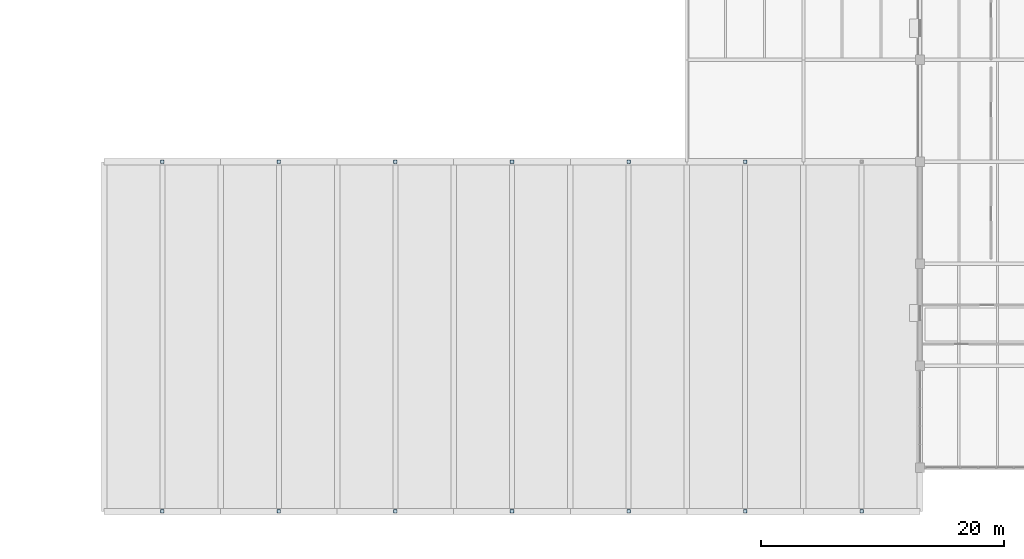
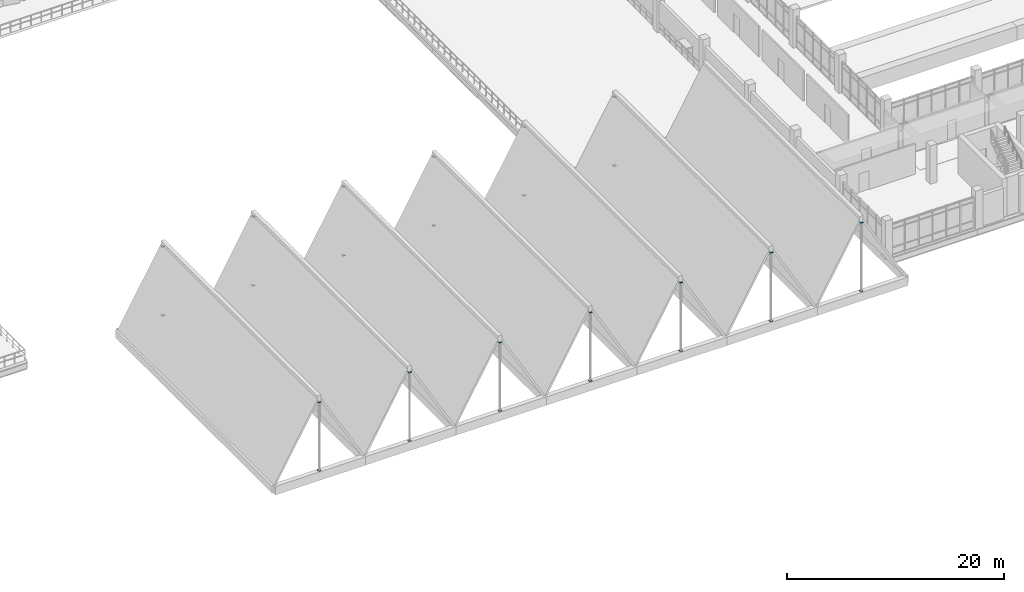
# One storey, part 48 of 86: 26 plates.
"""IFC4 building model written with IfcOpenShell, lengths in metres."""

from ifc_helpers import new_model, si_unit, direction, frame, origin, origin_2d, place, context, subcontext, project, spatial, rectangle, extrude, material, layer, layer_set, type_object, element, save


model = new_model("IFC4")

# Units and contexts
model_context = context("Model", 3, precision=1e-05, world=origin(), true_north=direction((0.0, 1.0)))
body_context = subcontext(model_context, "Body", "Model", "MODEL_VIEW")
ifc_project = project(units=[si_unit("LENGTHUNIT", "METRE"), si_unit("AREAUNIT", "SQUARE_METRE"), si_unit("VOLUMEUNIT", "CUBIC_METRE"), si_unit("PLANEANGLEUNIT", "RADIAN"), si_unit("MASSUNIT", "GRAM", prefix="KILO")], contexts=[model_context])

# Site, building, storey
site_placement = place(None, origin())
site = spatial("IfcSite", under=ifc_project, at=site_placement, CompositionType="ELEMENT")
building_placement = place(site_placement, origin())
building = spatial("IfcBuilding", under=site, at=building_placement, Name="Oolite Switchyard Hospital", CompositionType="ELEMENT")
storey_placement = place(building_placement, frame((0.0, 0.0, 13.5)))
storey = spatial("IfcBuildingStorey", under=building, at=storey_placement, Name="L03", CompositionType="ELEMENT", Elevation=13.5)

# Plates
ifc_material = material(Name="Steel ASTM A572 Grade 50", Category="steel")
ifc_layer = layer(ifc_material, 0.02099609375)
ifc_layer_set = layer_set([ifc_layer], Name="PLT-CAP-290")
plate_type = type_object("IfcPlateType", Name="PLT-CAP-290", PredefinedType="SHEET", material=ifc_layer_set)
for number, where, z_axis, x_axis, name in (
    (1, (72.0, 4.800048828125, -0.021484375), (0.0, 0.0, 1.0), (1.0, 0.0, 0.0), "L03 King-Post Base Plate S1"),
    (2, (72.0, 4.800048828125, 7.700439453125), (0.0, 0.0, 1.0), (1.0, 0.0, 0.0), "L03 King-Post Cap Plate S1"),
    (3, (72.0, 33.60009765625, -0.021484375), (0.0, 0.0, 1.0), (1.0, 0.0, 0.0), "L03 King-Post Base Plate N1"),
    (4, (72.0, 33.60009765625, 7.700439453125), (0.0, 0.0, 1.0), (1.0, 0.0, 0.0), "L03 King-Post Cap Plate N1"),
    (5, (81.60009765625, 4.800048828125, -0.021484375), (0.0, 0.0, 1.0), (1.0, 0.0, 0.0), "L03 King-Post Base Plate S2"),
    (6, (81.60009765625, 4.800048828125, 7.700439453125), (0.0, 0.0, 1.0), (1.0, 0.0, 0.0), "L03 King-Post Cap Plate S2"),
    (7, (81.60009765625, 33.60009765625, -0.021484375), (0.0, 0.0, 1.0), (1.0, 0.0, 0.0), "L03 King-Post Base Plate N2"),
    (8, (81.60009765625, 33.60009765625, 7.700439453125), (0.0, 0.0, 1.0), (1.0, 0.0, 0.0), "L03 King-Post Cap Plate N2"),
    (9, (91.199951171875, 4.800048828125, -0.021484375), (0.0, 0.0, 1.0), (1.0, 0.0, 0.0), "L03 King-Post Base Plate S3"),
    (10, (91.199951171875, 4.800048828125, 7.700439453125), (0.0, 0.0, 1.0), (1.0, 0.0, 0.0), "L03 King-Post Cap Plate S3"),
    (11, (91.199951171875, 33.60009765625, -0.021484375), (0.0, 0.0, 1.0), (1.0, 0.0, 0.0), "L03 King-Post Base Plate N3"),
    (12, (91.199951171875, 33.60009765625, 7.700439453125), (0.0, 0.0, 1.0), (1.0, 0.0, 0.0), "L03 King-Post Cap Plate N3"),
    (13, (100.800048828125, 4.800048828125, -0.021484375), (0.0, 0.0, 1.0), (1.0, 0.0, 0.0), "L03 King-Post Base Plate S4"),
    (14, (100.800048828125, 4.800048828125, 7.700439453125), (0.0, 0.0, 1.0), (1.0, 0.0, 0.0), "L03 King-Post Cap Plate S4"),
    (15, (100.800048828125, 33.60009765625, -0.021484375), (0.0, 0.0, 1.0), (1.0, 0.0, 0.0), "L03 King-Post Base Plate N4"),
    (16, (100.800048828125, 33.60009765625, 7.700439453125), (0.0, 0.0, 1.0), (1.0, 0.0, 0.0), "L03 King-Post Cap Plate N4"),
    (17, (110.39990234375, 4.800048828125, -0.021484375), (0.0, 0.0, 1.0), (1.0, 0.0, 0.0), "L03 King-Post Base Plate S5"),
    (18, (110.39990234375, 4.800048828125, 7.700439453125), (0.0, 0.0, 1.0), (1.0, 0.0, 0.0), "L03 King-Post Cap Plate S5"),
    (19, (110.39990234375, 33.60009765625, -0.021484375), (0.0, 0.0, 1.0), (1.0, 0.0, 0.0), "L03 King-Post Base Plate N5"),
    (20, (110.39990234375, 33.60009765625, 7.700439453125), (0.0, 0.0, 1.0), (1.0, 0.0, 0.0), "L03 King-Post Cap Plate N5"),
    (21, (120.0, 4.800048828125, -0.021484375), (0.0, 0.0, 1.0), (1.0, 0.0, 0.0), "L03 King-Post Base Plate S6"),
    (22, (120.0, 4.800048828125, 7.700439453125), (0.0, 0.0, 1.0), (1.0, 0.0, 0.0), "L03 King-Post Cap Plate S6"),
    (23, (120.0, 33.60009765625, -0.021484375), (0.0, 0.0, 1.0), (1.0, 0.0, 0.0), "L03 King-Post Base Plate N6"),
    (24, (120.0, 33.60009765625, 7.700439453125), (0.0, 0.0, 1.0), (1.0, 0.0, 0.0), "L03 King-Post Cap Plate N6"),
    (25, (129.60009765625, 4.800048828125, -0.021484375), (0.0, 0.0, 1.0), (1.0, 0.0, 0.0), "L03 King-Post Base Plate S7"),
    (26, (129.60009765625, 4.800048828125, 7.700439453125), (0.0, 0.0, 1.0), (1.0, 0.0, 0.0), "L03 King-Post Cap Plate S7"),
):
    element("IfcPlate", number, at=place(storey_placement, frame(where, z_axis=z_axis, x_axis=x_axis)), inside=storey, type_object=plate_type, Name=name, PredefinedType="SHEET", context=body_context, shape_type="SweptSolid", body=[
        extrude(rectangle(XDim=0.2900390625, YDim=0.2900390625, at=origin_2d()), origin(), (0.0, 0.0, 1.0), 0.02099609375),
    ])

save(model, "model.ifc")
